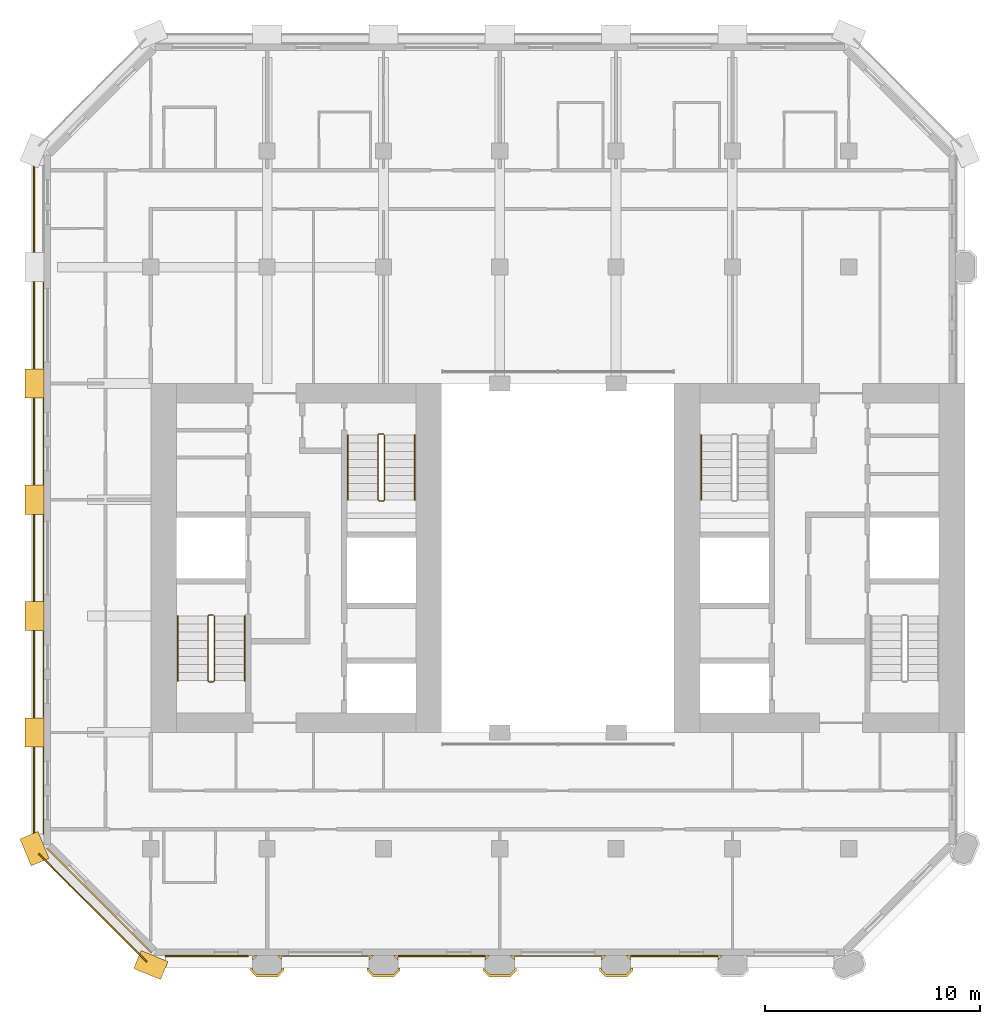
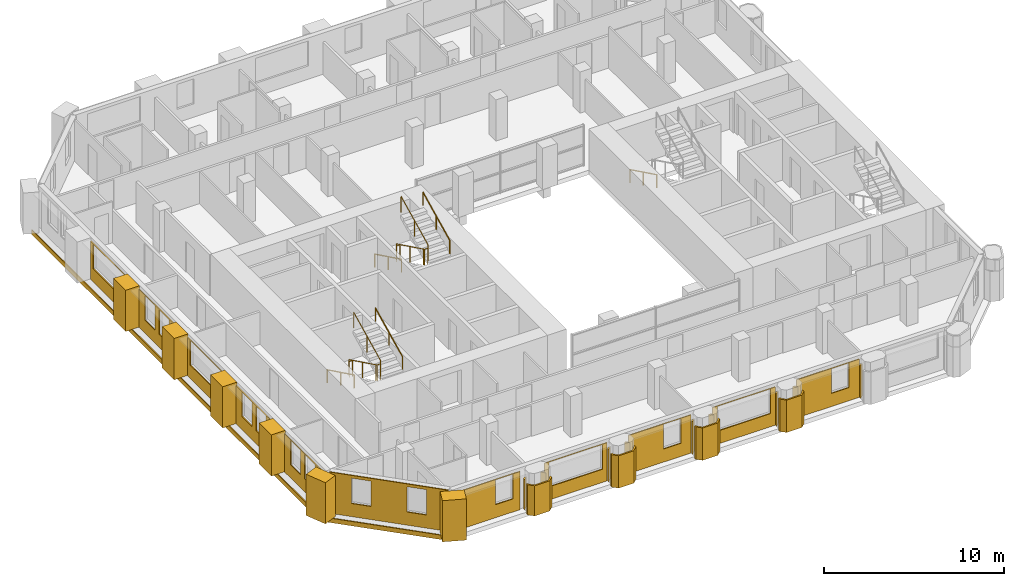
# One storey, part 12 of 14: 32 coverings, 7 railings.
"""IFC4 building model written with IfcOpenShell, lengths in metres."""

import ifcopenshell
import ifcopenshell.guid

model = None  # the IFC model being written
_history = None  # IfcOwnerHistory: only IFC2X3 demands one
_inside = {}  # id of a spatial element -> (the spatial element, [elements in it])
_under = {}  # id of a project, library or spatial element -> (it, [spatial elements below it])
_declared = {}  # id of a project -> (the project, [libraries it declares])
_typed = {}  # id of a type object -> (the type object, [elements of that type])
_made_of = {}  # id of a material, layer set ... -> (it, [elements and type objects made of it])


def new_model(schema):
    """Start an empty IFC model of exactly this schema.

    Asked for "IFC4X3", IfcOpenShell would pick the latest addendum, in which some entities
    have other attributes; the version numbers below select the first issue.
    IFC2X3 requires an IfcOwnerHistory on every rooted entity: one is made here for all.
    """
    global model, _history
    if schema == "IFC4X3":
        model = ifcopenshell.file(schema_version=(4, 3, 0, 0))
    else:
        model = ifcopenshell.file(schema=schema)
    _inside.clear()
    _under.clear()
    _declared.clear()
    _typed.clear()
    _made_of.clear()
    _history = None
    if model.schema == "IFC2X3":
        org = make("IfcOrganization", Name="unknown")
        user = make(
            "IfcPersonAndOrganization",
            ThePerson=make("IfcPerson", FamilyName="unknown"),
            TheOrganization=org,
        )
        app = make(
            "IfcApplication",
            ApplicationDeveloper=org,
            Version="unknown",
            ApplicationFullName="unknown",
            ApplicationIdentifier="unknown",
        )
        _history = make(
            "IfcOwnerHistory",
            OwningUser=user,
            OwningApplication=app,
            ChangeAction="ADDED",
            CreationDate=0,
        )
    return model


def make(cls, **values):
    """One entity of the class cls with the attributes given. An attribute that is None is left unset."""
    return model.create_entity(
        cls, **{name: value for name, value in values.items() if value is not None}
    )


def rooted(cls, **values):
    """An entity with a GlobalId (a new one), such as an element, a storey or a relation."""
    return make(cls, GlobalId=ifcopenshell.guid.new(), OwnerHistory=_history, **values)


def si_unit(unit_type, name, prefix=None):
    """IfcSIUnit, for example si_unit("LENGTHUNIT", "METRE", prefix="MILLI")."""
    return make("IfcSIUnit", UnitType=unit_type, Prefix=prefix, Name=name)


def assignment(units):
    """IfcUnitAssignment: the units of a project."""
    return None if units is None else make("IfcUnitAssignment", Units=units)


def point(xyz):
    """IfcCartesianPoint."""
    return None if xyz is None else make("IfcCartesianPoint", Coordinates=xyz)


def direction(xyz):
    """IfcDirection."""
    return None if xyz is None else make("IfcDirection", DirectionRatios=xyz)


def frame(location, z_axis=None, x_axis=None):
    """IfcAxis2Placement3D, a coordinate frame: its origin and axes. An axis left out is left unset."""
    return make(
        "IfcAxis2Placement3D",
        Location=point(location),
        Axis=direction(z_axis),
        RefDirection=direction(x_axis),
    )


def frame_2d(location, x_axis=None):
    """IfcAxis2Placement2D, a coordinate frame in the plane: its origin and x axis."""
    return make(
        "IfcAxis2Placement2D", Location=point(location), RefDirection=direction(x_axis)
    )


def origin():
    """The frame at (0, 0, 0) with its axes left unset."""
    return frame((0.0, 0.0, 0.0))


def origin_2d():
    """The frame at (0, 0) in the plane with its x axis left unset."""
    return frame_2d((0.0, 0.0))


def place(relative_to, where):
    """IfcLocalPlacement: puts the frame where relative to a parent placement (None: the world)."""
    return make(
        "IfcLocalPlacement", PlacementRelTo=relative_to, RelativePlacement=where
    )


def context(
    kind, dimensions, precision=None, world=None, true_north=None, identifier=None
):
    """IfcGeometricRepresentationContext, for example the 3D "Model" context."""
    return make(
        "IfcGeometricRepresentationContext",
        ContextIdentifier=identifier,
        ContextType=kind,
        CoordinateSpaceDimension=dimensions,
        Precision=precision,
        WorldCoordinateSystem=world,
        TrueNorth=true_north,
    )


def subcontext(parent, identifier, kind, view, scale=None):
    """IfcGeometricRepresentationSubContext, for example "Body" below "Model"."""
    return make(
        "IfcGeometricRepresentationSubContext",
        ContextIdentifier=identifier,
        ContextType=kind,
        ParentContext=parent,
        TargetScale=scale,
        TargetView=view,
    )


def project(units=None, contexts=None):
    """IfcProject with its units and contexts."""
    return rooted(
        "IfcProject",
        Name="project",
        RepresentationContexts=contexts,
        UnitsInContext=assignment(units),
    )


def spatial(cls, under=None, at=None, **own):
    """A site, building, storey or space (cls), placed at a placement, below another one or the project."""
    s = rooted(cls, ObjectPlacement=at, **own)
    if under is not None:
        _under.setdefault(under.id(), (under, []))[1].append(s)
    return s


def polyline(points):
    """IfcPolyline through the points."""
    return make("IfcPolyline", Points=[point(p) for p in points])


def profile(cls, at=None, kind="AREA", **sizes):
    """A parametric profile (cls). Its sizes go by their IFC names, for example OverallWidth=200.0."""
    return make(cls, ProfileType=kind, Position=at, **sizes)


def rectangle(**sizes):
    """IfcRectangleProfileDef."""
    return profile("IfcRectangleProfileDef", **sizes)


def circle(**sizes):
    """IfcCircleProfileDef."""
    return profile("IfcCircleProfileDef", **sizes)


def outline(outer, holes=None, kind="AREA"):
    """IfcArbitraryClosedProfileDef: a profile drawn as a closed curve; with holes, ...WithVoids."""
    if holes is None:
        return make("IfcArbitraryClosedProfileDef", ProfileType=kind, OuterCurve=outer)
    return make(
        "IfcArbitraryProfileDefWithVoids",
        ProfileType=kind,
        OuterCurve=outer,
        InnerCurves=holes,
    )


def extrude(swept, where, along, depth):
    """IfcExtrudedAreaSolid: the profile swept, set in the frame where, extruded along a direction by depth."""
    return make(
        "IfcExtrudedAreaSolid",
        SweptArea=swept,
        Position=where,
        ExtrudedDirection=direction(along),
        Depth=depth,
    )


def shape(context_of_items, identifier, shape_type, items):
    """IfcShapeRepresentation: the items that make up one representation, for example the "Body"."""
    return make(
        "IfcShapeRepresentation",
        ContextOfItems=context_of_items,
        RepresentationIdentifier=identifier,
        RepresentationType=shape_type,
        Items=items,
    )


def material(Name=None, Category=None):
    """IfcMaterial."""
    return make("IfcMaterial", Name=Name, Category=Category)


def layer(
    of_material, thickness, ventilated=None, Name=None, Category=None, Priority=None
):
    """IfcMaterialLayer: one layer of a wall or slab, of a material (None: an air gap)."""
    return make(
        "IfcMaterialLayer",
        Material=of_material,
        LayerThickness=thickness,
        IsVentilated=ventilated,
        Name=Name,
        Category=Category,
        Priority=Priority,
    )


def layer_set(layers, Name=None):
    """IfcMaterialLayerSet."""
    return make("IfcMaterialLayerSet", MaterialLayers=layers, LayerSetName=Name)


def made_of(thing, what):
    """Note that an element or type object is made of a material, layer set ...; save() writes the relation."""
    if what is not None:
        _made_of.setdefault(what.id(), (what, []))[1].append(thing)
    return thing


def type_object(cls, material=None, **own):
    """A type object (cls), such as IfcWallType, which elements share."""
    return made_of(rooted(cls, **own), material)


def element(
    cls,
    number,
    at=None,
    inside=None,
    cuts=None,
    type_object=None,
    material=None,
    context=None,
    identifier="Body",
    shape_type=None,
    held_by="IfcProductDefinitionShape",
    body=None,
    shapes=None,
    **own,
):
    """One element of the class cls, such as IfcWall. Its Tag is "e" and its number.

    at: its placement. inside: the storey or other place that contains it. cuts: it is an
    opening in that element (IfcRelVoidsElement). A single representation is given by context,
    identifier, shape_type and body (its items); several are given by shapes. held_by: the class
    of the entity that holds the representations. save() writes the other relations.
    """
    e = rooted(cls, Tag="e%d" % number, ObjectPlacement=at, **own)
    if body is not None:
        shapes = [shape(context, identifier, shape_type, body)]
    if shapes is not None:
        e.Representation = make(held_by, Representations=shapes)
    if inside is not None:
        _inside.setdefault(inside.id(), (inside, []))[1].append(e)
    if cuts is not None:
        rooted(
            "IfcRelVoidsElement", RelatingBuildingElement=cuts, RelatedOpeningElement=e
        )
    if type_object is not None:
        _typed.setdefault(type_object.id(), (type_object, []))[1].append(e)
    return made_of(e, material)


def aggregate(whole, parts):
    """IfcRelAggregates: a whole, such as a stair, and the parts it consists of."""
    return rooted("IfcRelAggregates", RelatingObject=whole, RelatedObjects=parts)


def save(model, path):
    """Write the relations noted so far, then the file.

    IfcRelAggregates (storeys below a building ...), IfcRelContainedInSpatialStructure (elements
    in a storey), IfcRelDefinesByType, IfcRelAssociatesMaterial and IfcRelDeclares: one each for
    every whole, place, type object, material and project.
    """
    for whole, parts in _under.values():
        aggregate(whole, parts)
    for where, things in _inside.values():
        rooted(
            "IfcRelContainedInSpatialStructure",
            RelatedElements=things,
            RelatingStructure=where,
        )
    for kind, things in _typed.values():
        rooted("IfcRelDefinesByType", RelatedObjects=things, RelatingType=kind)
    for what, things in _made_of.values():
        rooted("IfcRelAssociatesMaterial", RelatedObjects=things, RelatingMaterial=what)
    for by, libraries in _declared.values():
        rooted("IfcRelDeclares", RelatingContext=by, RelatedDefinitions=libraries)
    model.write(path)


model = new_model("IFC4")

# Units and contexts
model_context = context("Model", 3, precision=1e-05, world=origin(), true_north=direction((0.0, 1.0)))
body_context = subcontext(model_context, "Body", "Model", "MODEL_VIEW")
ifc_project = project(units=[si_unit("LENGTHUNIT", "METRE"), si_unit("AREAUNIT", "SQUARE_METRE"), si_unit("VOLUMEUNIT", "CUBIC_METRE"), si_unit("PLANEANGLEUNIT", "RADIAN"), si_unit("MASSUNIT", "GRAM", prefix="KILO")], contexts=[model_context])

# Site, building, storey
site_placement = place(None, origin())
site = spatial("IfcSite", under=ifc_project, at=site_placement, CompositionType="ELEMENT")
building_placement = place(site_placement, origin())
building = spatial("IfcBuilding", under=site, at=building_placement, Name="Tabaq Tower and Sports Hall", CompositionType="ELEMENT")
storey_placement = place(building_placement, frame((0.0, 0.0, 230.199951171875)))
storey = spatial("IfcBuildingStorey", under=building, at=storey_placement, Name="L58", CompositionType="ELEMENT", Elevation=230.199951171875)

# Coverings
ifc_material_1 = material(Name="Precast concrete C60/75", Category="concrete")
ifc_layer_1 = layer(ifc_material_1, 0.10009765625)
ifc_layer_set_1 = layer_set([ifc_layer_1], Name="Column cladding 100")
covering_type_1 = type_object("IfcCoveringType", Name="Column cladding 100", PredefinedType="CLADDING", material=ifc_layer_set_1)
covering_1_placement = place(storey_placement, origin())
element("IfcCovering", 1, at=covering_1_placement, inside=storey, type_object=covering_type_1, Name="Column cladding L58 PC-3B-H3", PredefinedType="CLADDING", context=body_context, shape_type="SweptSolid", body=[
    extrude(outline(polyline([(10.025390625, 5.249755859375), (10.124755859375, 5.249755859375), (10.124755859375, 5.1748046875), (10.349853515625, 4.94970703125), (11.250244140625, 4.94970703125), (11.475341796875, 5.1748046875), (11.475341796875, 5.249755859375), (11.57470703125, 5.249755859375), (11.57470703125, 5.1337890625), (11.291259765625, 4.850341796875), (10.30859375, 4.850341796875), (10.025390625, 5.1337890625), (10.025390625, 5.249755859375)])), origin(), (0.0, 0.0, 1.0), 2.050048828125),
])
covering_2_placement = place(storey_placement, origin())
element("IfcCovering", 2, at=covering_2_placement, inside=storey, type_object=covering_type_1, Name="Column cladding L58 PC-3B-H3 2", PredefinedType="CLADDING", context=body_context, shape_type="SweptSolid", body=[
    extrude(outline(polyline([(10.208740234375, 5.849609375), (10.349365234375, 5.849609375), (10.125244140625, 5.625732421875), (10.125244140625, 5.766357421875), (10.208740234375, 5.849609375)])), origin(), (0.0, 0.0, 1.0), 2.050048828125),
])
covering_3_placement = place(storey_placement, origin())
element("IfcCovering", 3, at=covering_3_placement, inside=storey, type_object=covering_type_1, Name="Column cladding L58 PC-3B-H3 3", PredefinedType="CLADDING", context=body_context, shape_type="SweptSolid", body=[
    extrude(outline(polyline([(11.474609375, 5.766357421875), (11.474609375, 5.625732421875), (11.250732421875, 5.849609375), (11.391357421875, 5.849609375), (11.474609375, 5.766357421875)])), origin(), (0.0, 0.0, 1.0), 2.050048828125),
])
covering_4_placement = place(storey_placement, origin())
element("IfcCovering", 4, at=covering_4_placement, inside=storey, type_object=covering_type_1, Name="Column cladding L58 PC-4B-H3", PredefinedType="CLADDING", context=body_context, shape_type="SweptSolid", body=[
    extrude(outline(polyline([(15.42529296875, 5.249755859375), (15.524658203125, 5.249755859375), (15.524658203125, 5.1748046875), (15.749755859375, 4.94970703125), (16.650146484375, 4.94970703125), (16.875244140625, 5.1748046875), (16.875244140625, 5.249755859375), (16.974609375, 5.249755859375), (16.974609375, 5.1337890625), (16.69140625, 4.850341796875), (15.708740234375, 4.850341796875), (15.42529296875, 5.1337890625), (15.42529296875, 5.249755859375)])), origin(), (0.0, 0.0, 1.0), 2.199951171875),
])
covering_5_placement = place(storey_placement, origin())
element("IfcCovering", 5, at=covering_5_placement, inside=storey, type_object=covering_type_1, Name="Column cladding L58 PC-4B-H3 2", PredefinedType="CLADDING", context=body_context, shape_type="SweptSolid", body=[
    extrude(outline(polyline([(16.874755859375, 5.766357421875), (16.874755859375, 5.625732421875), (16.650634765625, 5.849609375), (16.791259765625, 5.849609375), (16.874755859375, 5.766357421875)])), origin(), (0.0, 0.0, 1.0), 2.199951171875),
])
covering_6_placement = place(storey_placement, origin())
element("IfcCovering", 6, at=covering_6_placement, inside=storey, type_object=covering_type_1, Name="Column cladding L58 PC-4B-H3 3", PredefinedType="CLADDING", context=body_context, shape_type="SweptSolid", body=[
    extrude(outline(polyline([(15.608642578125, 5.849609375), (15.749267578125, 5.849609375), (15.525390625, 5.625732421875), (15.525390625, 5.766357421875), (15.608642578125, 5.849609375)])), origin(), (0.0, 0.0, 1.0), 2.199951171875),
])
covering_7_placement = place(storey_placement, origin())
element("IfcCovering", 7, at=covering_7_placement, inside=storey, type_object=covering_type_1, Name="Column cladding L58 PC-5B-H3", PredefinedType="CLADDING", context=body_context, shape_type="SweptSolid", body=[
    extrude(outline(polyline([(20.82568359375, 5.24951171875), (20.92431640625, 5.24951171875), (20.92431640625, 5.1748046875), (21.149658203125, 4.949462890625), (22.05029296875, 4.949462890625), (22.275634765625, 5.1748046875), (22.275634765625, 5.24951171875), (22.37451171875, 5.24951171875), (22.37451171875, 5.1337890625), (22.091064453125, 4.8505859375), (21.10888671875, 4.8505859375), (20.82568359375, 5.1337890625), (20.82568359375, 5.24951171875)])), origin(), (0.0, 0.0, 1.0), 2.199951171875),
])
covering_8_placement = place(storey_placement, origin())
element("IfcCovering", 8, at=covering_8_placement, inside=storey, type_object=covering_type_1, Name="Column cladding L58 PC-5B-H3 2", PredefinedType="CLADDING", context=body_context, shape_type="SweptSolid", body=[
    extrude(outline(polyline([(22.274658203125, 5.766357421875), (22.274658203125, 5.625732421875), (22.05078125, 5.849609375), (22.19140625, 5.849609375), (22.274658203125, 5.766357421875)])), origin(), (0.0, 0.0, 1.0), 2.199951171875),
])
covering_9_placement = place(storey_placement, origin())
element("IfcCovering", 9, at=covering_9_placement, inside=storey, type_object=covering_type_1, Name="Column cladding L58 PC-5B-H3 3", PredefinedType="CLADDING", context=body_context, shape_type="SweptSolid", body=[
    extrude(outline(polyline([(20.925537109375, 5.62646484375), (20.925537109375, 5.76611328125), (21.0087890625, 5.849365234375), (21.1484375, 5.849365234375), (20.925537109375, 5.62646484375)])), origin(), (0.0, 0.0, 1.0), 2.199951171875),
])
covering_10_placement = place(storey_placement, origin())
element("IfcCovering", 10, at=covering_10_placement, inside=storey, type_object=covering_type_1, Name="Column cladding L58 PC-6B-H3", PredefinedType="CLADDING", context=body_context, shape_type="SweptSolid", body=[
    extrude(outline(polyline([(26.225341796875, 5.249755859375), (26.32470703125, 5.249755859375), (26.32470703125, 5.1748046875), (26.5498046875, 4.94970703125), (27.4501953125, 4.94970703125), (27.67529296875, 5.1748046875), (27.67529296875, 5.249755859375), (27.774658203125, 5.249755859375), (27.774658203125, 5.1337890625), (27.4912109375, 4.850341796875), (26.5087890625, 4.850341796875), (26.225341796875, 5.1337890625), (26.225341796875, 5.249755859375)])), origin(), (0.0, 0.0, 1.0), 2.199951171875),
])
covering_11_placement = place(storey_placement, origin())
element("IfcCovering", 11, at=covering_11_placement, inside=storey, type_object=covering_type_1, Name="Column cladding L58 PC-6B-H3 2", PredefinedType="CLADDING", context=body_context, shape_type="SweptSolid", body=[
    extrude(outline(polyline([(26.40869140625, 5.849609375), (26.54931640625, 5.849609375), (26.3251953125, 5.625732421875), (26.3251953125, 5.766357421875), (26.40869140625, 5.849609375)])), origin(), (0.0, 0.0, 1.0), 2.199951171875),
])
covering_12_placement = place(storey_placement, origin())
element("IfcCovering", 12, at=covering_12_placement, inside=storey, type_object=covering_type_1, Name="Column cladding L58 PC-6B-H3 3", PredefinedType="CLADDING", context=body_context, shape_type="SweptSolid", body=[
    extrude(outline(polyline([(27.6748046875, 5.766357421875), (27.6748046875, 5.625732421875), (27.45068359375, 5.849609375), (27.59130859375, 5.849609375), (27.6748046875, 5.766357421875)])), origin(), (0.0, 0.0, 1.0), 2.199951171875),
])
covering_13_placement = place(storey_placement, origin())
element("IfcCovering", 13, at=covering_13_placement, inside=storey, type_object=covering_type_1, Name="Column cladding L58 PC-7B-H3 2", PredefinedType="CLADDING", context=body_context, shape_type="SweptSolid", body=[
    extrude(outline(polyline([(31.80859375, 5.849609375), (31.94921875, 5.849609375), (31.725341796875, 5.625732421875), (31.725341796875, 5.766357421875), (31.80859375, 5.849609375)])), origin(), (0.0, 0.0, 1.0), 2.199951171875),
])
ifc_material_2 = material(Name="Precast concrete C60/75", Category="concrete")
ifc_layer_2 = layer(ifc_material_2, 0.06005859375)
ifc_layer_set_2 = layer_set([ifc_layer_2], Name="Edge beam cladding 60")
covering_type_2 = type_object("IfcCoveringType", Name="Edge beam cladding 60", PredefinedType="CLADDING", material=ifc_layer_set_2)
covering_14_placement = place(storey_placement, frame((-0.030029296875, 42.9013671875, -0.300048828125), z_axis=(0.0, 0.0, 1.0), x_axis=(0.0, -1.0, 0.0)))
element("IfcCovering", 14, at=covering_14_placement, inside=storey, type_object=covering_type_2, Name="Edge beam cladding L58 4", PredefinedType="CLADDING", context=body_context, shape_type="SweptSolid", body=[
    extrude(rectangle(XDim=31.802734375, YDim=0.06005859375, at=frame_2d((15.9013671875, 0.0))), origin(), (0.0, 0.0, 1.0), 0.300048828125),
])
covering_15_placement = place(storey_placement, frame((0.18994140625, 10.567626953125, -0.300048828125), z_axis=(0.0, 0.0, 1.0), x_axis=(0.707106781187, -0.707106781187, 0.0)))
element("IfcCovering", 15, at=covering_15_placement, inside=storey, type_object=covering_type_2, Name="Edge beam cladding L58 5", PredefinedType="CLADDING", context=body_context, shape_type="SweptSolid", body=[
    extrude(rectangle(XDim=7.087890625, YDim=0.06005859375, at=frame_2d((3.5439453125, 0.0))), origin(), (0.0, 0.0, 1.0), 0.300048828125),
])
ifc_material_3 = material(Name="White precast concrete C60/75", Category="concrete")
covering_type_3 = type_object("IfcCoveringType", Name="Pier cladding hung 1350x900", PredefinedType="CLADDING", material=ifc_material_3)
for number, where, z_axis, x_axis, name in (
    (16, (-0.25830078125, 11.423583984375, 0.0), (0.0, 0.0, 1.0), (0.382649923473, -0.923893411637, 0.0), "Hung pier cladding 0/2"),
    (17, (0.0, 16.875, 0.0), (0.0, 0.0, 1.0), (0.0, -1.0, 0.0), "Hung pier cladding 0/3"),
):
    element("IfcCovering", number, at=place(storey_placement, frame(where, z_axis=z_axis, x_axis=x_axis)), inside=storey, type_object=covering_type_3, Name=name, PredefinedType="CLADDING", context=body_context, shape_type="SweptSolid", body=[
        extrude(rectangle(XDim=1.35009765625, YDim=0.89990234375, at=frame_2d((0.675048828125, 0.0))), origin(), (0.0, 0.0, 1.0), 2.800048828125),
    ])
covering_16_placement = place(storey_placement, frame((0.0, 22.27490234375, 0.0), z_axis=(0.0, 0.0, 1.0), x_axis=(0.0, -1.0, 0.0)))
element("IfcCovering", 18, at=covering_16_placement, inside=storey, type_object=covering_type_3, Name="Hung pier cladding 0/4", PredefinedType="CLADDING", context=body_context, shape_type="SweptSolid", body=[
    extrude(rectangle(XDim=1.349853515625, YDim=0.89990234375, at=frame_2d((0.6748046875, 0.0))), origin(), (0.0, 0.0, 1.0), 2.800048828125),
])
covering_17_placement = place(storey_placement, frame((0.0, 27.675048828125, 0.0), z_axis=(0.0, 0.0, 1.0), x_axis=(0.0, -1.0, 0.0)))
element("IfcCovering", 19, at=covering_17_placement, inside=storey, type_object=covering_type_3, Name="Hung pier cladding 0/5", PredefinedType="CLADDING", context=body_context, shape_type="SweptSolid", body=[
    extrude(rectangle(XDim=1.35009765625, YDim=0.89990234375, at=frame_2d((0.675048828125, 0.0))), origin(), (0.0, 0.0, 1.0), 2.800048828125),
])
covering_18_placement = place(storey_placement, frame((0.0, 33.074951171875, 0.0), z_axis=(0.0, 0.0, 1.0), x_axis=(0.0, -1.0, 0.0)))
element("IfcCovering", 20, at=covering_18_placement, inside=storey, type_object=covering_type_3, Name="Hung pier cladding 0/6", PredefinedType="CLADDING", context=body_context, shape_type="SweptSolid", body=[
    extrude(rectangle(XDim=1.349853515625, YDim=0.89990234375, at=frame_2d((0.6748046875, 0.0))), origin(), (0.0, 0.0, 1.0), 2.800048828125),
])
covering_19_placement = place(storey_placement, frame((4.7763671875, 5.658203125, 0.0), z_axis=(0.0, 0.0, 1.0), x_axis=(0.923893411637, -0.382649923473, 0.0)))
element("IfcCovering", 21, at=covering_19_placement, inside=storey, type_object=covering_type_3, Name="Hung pier cladding 1/1", PredefinedType="CLADDING", context=body_context, shape_type="SweptSolid", body=[
    extrude(rectangle(XDim=1.35009765625, YDim=0.89990234375, at=frame_2d((0.675048828125, 0.0))), origin(), (0.0, 0.0, 1.0), 2.800048828125),
])

# Railings
ifc_material_4 = material(Name="Stainless steel", Category="steel")
railing_type_1 = type_object("IfcRailingType", Name="Stair guard", PredefinedType="GUARDRAIL", material=ifc_material_4)
railing_1_placement = place(storey_placement, frame((8.300048828125, 21.64990234375, 0.0)))
element("IfcRailing", 22, at=railing_1_placement, inside=storey, type_object=railing_type_1, Name="L58 ST1 stair guard 1", PredefinedType="GUARDRAIL", context=body_context, shape_type="SweptSolid", body=[
    extrude(circle(Radius=0.02392578125, at=origin_2d()), frame((0.0, 0.0, 1.076171875), z_axis=(-1.0, 0.0, 0.0), x_axis=(0.0, -1.0, 0.0)), (0.0, 0.0, 1.0), 0.199951171875),
    extrude(circle(Radius=0.02392578125, at=origin_2d()), frame((-0.199951171875, 0.0, 1.076171875), z_axis=(-0.254733673405, -0.25349107012, 0.933195066962), x_axis=(0.705375805398, -0.708833529934, 0.0)), (0.0, 0.0, 1.0), 0.196533203125),
    extrude(circle(Radius=0.02392578125, at=origin_2d()), frame((-0.25, -0.0498046875, 1.25927734375), z_axis=(0.0, -0.898368975038, 0.439241601728), x_axis=(1.0, 0.0, 0.0)), (0.0, 0.0, 1.0), 3.33935546875),
    extrude(circle(Radius=0.02392578125, at=origin_2d()), frame((-0.25, -3.0498046875, 2.72607421875), z_axis=(0.707106781187, -0.707106781187, 0.0), x_axis=(0.707106781187, 0.707106781187, 0.0)), (0.0, 0.0, 1.0), 0.07080078125),
    extrude(circle(Radius=0.02392578125, at=origin_2d()), frame((-0.199951171875, -3.099853515625, 2.72607421875), z_axis=(1.0, 0.0, 0.0), x_axis=(0.0, 1.0, 0.0)), (0.0, 0.0, 1.0), 0.199951171875),
    extrude(circle(Radius=0.02392578125, at=origin_2d()), frame((0.0, -3.099853515625, 2.72607421875), z_axis=(0.254653276557, 0.254653276557, 0.932900539971), x_axis=(-0.707106781187, 0.707106781187, 0.0)), (0.0, 0.0, 1.0), 0.196533203125),
    extrude(circle(Radius=0.02392578125, at=origin_2d()), frame((0.050048828125, -3.0498046875, 2.90966796875), z_axis=(0.0, 0.898397823093, 0.439182594671), x_axis=(-1.0, 0.0, 0.0)), (0.0, 0.0, 1.0), 3.33935546875),
    extrude(circle(Radius=0.02099609375, at=origin_2d()), origin(), (0.0, 0.0, 1.0), 1.052001953125),
    extrude(circle(Radius=0.02099609375, at=origin_2d()), frame((-0.199951171875, 0.0, 0.0)), (0.0, 0.0, 1.0), 1.052001953125),
    extrude(circle(Radius=0.02099609375, at=origin_2d()), frame((-0.25, -0.0498046875, 0.183349609375)), (0.0, 0.0, 1.0), 1.052001953125),
    extrude(circle(Radius=0.02099609375, at=origin_2d()), frame((-0.25, -1.5498046875, 0.916748046875)), (0.0, 0.0, 1.0), 1.052001953125),
    extrude(circle(Radius=0.02099609375, at=origin_2d()), frame((-0.25, -3.0498046875, 1.650146484375)), (0.0, 0.0, 1.0), 1.052001953125),
    extrude(circle(Radius=0.02099609375, at=origin_2d()), frame((-0.199951171875, -3.099853515625, 1.650146484375)), (0.0, 0.0, 1.0), 1.052001953125),
    extrude(circle(Radius=0.02099609375, at=origin_2d()), frame((0.0, -3.099853515625, 1.650146484375)), (0.0, 0.0, 1.0), 1.052001953125),
    extrude(circle(Radius=0.02099609375, at=origin_2d()), frame((0.050048828125, -3.0498046875, 1.83349609375)), (0.0, 0.0, 1.0), 1.052001953125),
    extrude(circle(Radius=0.02099609375, at=origin_2d()), frame((0.050048828125, -1.5498046875, 2.56689453125)), (0.0, 0.0, 1.0), 1.052001953125),
    extrude(circle(Radius=0.02099609375, at=origin_2d()), frame((0.050048828125, -0.0498046875, 3.300048828125)), (0.0, 0.0, 1.0), 1.052001953125),
])
railing_2_placement = place(storey_placement, frame((16.199951171875, 30.050048828125, 0.0)))
element("IfcRailing", 23, at=railing_2_placement, inside=storey, type_object=railing_type_1, Name="L58 ST2 stair guard 1", PredefinedType="GUARDRAIL", context=body_context, shape_type="SweptSolid", body=[
    extrude(circle(Radius=0.02392578125, at=origin_2d()), frame((0.0, 0.0, 1.076171875), z_axis=(-1.0, 0.0, 0.0), x_axis=(0.0, -1.0, 0.0)), (0.0, 0.0, 1.0), 0.199951171875),
    extrude(circle(Radius=0.02392578125, at=origin_2d()), frame((-0.199951171875, 0.0, 1.076171875), z_axis=(-0.254653276557, -0.254653276557, 0.932900539971), x_axis=(0.707106781187, -0.707106781187, 0.0)), (0.0, 0.0, 1.0), 0.196533203125),
    extrude(circle(Radius=0.02392578125, at=origin_2d()), frame((-0.25, -0.050048828125, 1.25927734375), z_axis=(0.0, -0.898368975038, 0.439241601728), x_axis=(1.0, 0.0, 0.0)), (0.0, 0.0, 1.0), 3.33935546875),
    extrude(circle(Radius=0.02392578125, at=origin_2d()), frame((-0.25, -3.050048828125, 2.72607421875), z_axis=(0.707106781187, -0.707106781187, 0.0), x_axis=(0.707106781187, 0.707106781187, 0.0)), (0.0, 0.0, 1.0), 0.07080078125),
    extrude(circle(Radius=0.02392578125, at=origin_2d()), frame((-0.199951171875, -3.10009765625, 2.72607421875), z_axis=(1.0, 0.0, 0.0), x_axis=(0.0, 1.0, 0.0)), (0.0, 0.0, 1.0), 0.199951171875),
    extrude(circle(Radius=0.02392578125, at=origin_2d()), frame((0.0, -3.10009765625, 2.72607421875), z_axis=(0.254653276557, 0.254653276557, 0.932900539971), x_axis=(-0.707106781187, 0.707106781187, 0.0)), (0.0, 0.0, 1.0), 0.196533203125),
    extrude(circle(Radius=0.02392578125, at=origin_2d()), frame((0.050048828125, -3.050048828125, 2.90966796875), z_axis=(0.0, 0.898397823093, 0.439182594671), x_axis=(-1.0, 0.0, 0.0)), (0.0, 0.0, 1.0), 3.33935546875),
    extrude(circle(Radius=0.02099609375, at=origin_2d()), origin(), (0.0, 0.0, 1.0), 1.052001953125),
    extrude(circle(Radius=0.02099609375, at=origin_2d()), frame((-0.199951171875, 0.0, 0.0)), (0.0, 0.0, 1.0), 1.052001953125),
    extrude(circle(Radius=0.02099609375, at=origin_2d()), frame((-0.25, -0.050048828125, 0.183349609375)), (0.0, 0.0, 1.0), 1.052001953125),
    extrude(circle(Radius=0.02099609375, at=origin_2d()), frame((-0.25, -1.550048828125, 0.916748046875)), (0.0, 0.0, 1.0), 1.052001953125),
    extrude(circle(Radius=0.02099609375, at=origin_2d()), frame((-0.25, -3.050048828125, 1.650146484375)), (0.0, 0.0, 1.0), 1.052001953125),
    extrude(circle(Radius=0.02099609375, at=origin_2d()), frame((-0.199951171875, -3.10009765625, 1.650146484375)), (0.0, 0.0, 1.0), 1.052001953125),
    extrude(circle(Radius=0.02099609375, at=origin_2d()), frame((0.0, -3.10009765625, 1.650146484375)), (0.0, 0.0, 1.0), 1.052001953125),
    extrude(circle(Radius=0.02099609375, at=origin_2d()), frame((0.050048828125, -3.050048828125, 1.83349609375)), (0.0, 0.0, 1.0), 1.052001953125),
    extrude(circle(Radius=0.02099609375, at=origin_2d()), frame((0.050048828125, -1.550048828125, 2.56689453125)), (0.0, 0.0, 1.0), 1.052001953125),
    extrude(circle(Radius=0.02099609375, at=origin_2d()), frame((0.050048828125, -0.050048828125, 3.300048828125)), (0.0, 0.0, 1.0), 1.052001953125),
])
ifc_material_5 = material(Name="Stainless steel", Category="steel")
railing_type_2 = type_object("IfcRailingType", Name="Stair handrail", PredefinedType="HANDRAIL", material=ifc_material_5)
railing_3_placement = place(storey_placement, frame((6.64990234375, 21.60009765625, 0.183349609375)))
element("IfcRailing", 24, at=railing_3_placement, inside=storey, type_object=railing_type_2, Name="L58 ST1 stair handrail 1", PredefinedType="HANDRAIL", context=body_context, shape_type="SweptSolid", body=[
    extrude(circle(Radius=0.02392578125, at=origin_2d()), frame((0.0, 0.0, 0.8759765625), z_axis=(0.0, -0.898368975038, 0.439241601728), x_axis=(1.0, 0.0, 0.0)), (0.0, 0.0, 1.0), 3.33935546875),
    extrude(circle(Radius=0.02099609375, at=origin_2d()), origin(), (0.0, 0.0, 1.0), 0.851806640625),
    extrude(circle(Radius=0.02099609375, at=origin_2d()), frame((0.0, -1.5, 0.7333984375)), (0.0, 0.0, 1.0), 0.851806640625),
    extrude(circle(Radius=0.02099609375, at=origin_2d()), frame((0.0, -3.0, 1.466796875)), (0.0, 0.0, 1.0), 0.851806640625),
])
railing_4_placement = place(storey_placement, frame((9.75, 18.60009765625, 1.83349609375)))
element("IfcRailing", 25, at=railing_4_placement, inside=storey, type_object=railing_type_2, Name="L58 ST1 stair handrail 2", PredefinedType="HANDRAIL", context=body_context, shape_type="SweptSolid", body=[
    extrude(circle(Radius=0.02392578125, at=origin_2d()), frame((0.0, 0.0, 0.8759765625), z_axis=(0.0, 0.898397823093, 0.439182594671), x_axis=(-1.0, 0.0, 0.0)), (0.0, 0.0, 1.0), 3.33935546875),
    extrude(circle(Radius=0.02099609375, at=origin_2d()), origin(), (0.0, 0.0, 1.0), 0.851806640625),
    extrude(circle(Radius=0.02099609375, at=origin_2d()), frame((0.0, 1.5, 0.7333984375)), (0.0, 0.0, 1.0), 0.851806640625),
    extrude(circle(Radius=0.02099609375, at=origin_2d()), frame((0.0, 3.0, 1.466552734375)), (0.0, 0.0, 1.0), 0.851806640625),
])
railing_5_placement = place(storey_placement, frame((14.550048828125, 30.0, 0.183349609375)))
element("IfcRailing", 26, at=railing_5_placement, inside=storey, type_object=railing_type_2, Name="L58 ST2 stair handrail 1", PredefinedType="HANDRAIL", context=body_context, shape_type="SweptSolid", body=[
    extrude(circle(Radius=0.02392578125, at=origin_2d()), frame((0.0, 0.0, 0.8759765625), z_axis=(0.0, -0.898368975038, 0.439241601728), x_axis=(1.0, 0.0, 0.0)), (0.0, 0.0, 1.0), 3.33935546875),
    extrude(circle(Radius=0.02099609375, at=origin_2d()), origin(), (0.0, 0.0, 1.0), 0.851806640625),
    extrude(circle(Radius=0.02099609375, at=origin_2d()), frame((0.0, -1.5, 0.7333984375)), (0.0, 0.0, 1.0), 0.851806640625),
    extrude(circle(Radius=0.02099609375, at=origin_2d()), frame((0.0, -3.0, 1.466796875)), (0.0, 0.0, 1.0), 0.851806640625),
])
railing_6_placement = place(storey_placement, frame((17.64990234375, 27.0, 1.83349609375)))
element("IfcRailing", 27, at=railing_6_placement, inside=storey, type_object=railing_type_2, Name="L58 ST2 stair handrail 2", PredefinedType="HANDRAIL", context=body_context, shape_type="SweptSolid", body=[
    extrude(circle(Radius=0.02392578125, at=origin_2d()), frame((0.0, 0.0, 0.8759765625), z_axis=(0.0, 0.898397823093, 0.439182594671), x_axis=(-1.0, 0.0, 0.0)), (0.0, 0.0, 1.0), 3.33935546875),
    extrude(circle(Radius=0.02099609375, at=origin_2d()), origin(), (0.0, 0.0, 1.0), 0.851806640625),
    extrude(circle(Radius=0.02099609375, at=origin_2d()), frame((0.0, 1.5, 0.7333984375)), (0.0, 0.0, 1.0), 0.851806640625),
    extrude(circle(Radius=0.02099609375, at=origin_2d()), frame((0.0, 3.0, 1.466552734375)), (0.0, 0.0, 1.0), 0.851806640625),
])
railing_7_placement = place(storey_placement, frame((30.949951171875, 30.0, 0.183349609375)))
element("IfcRailing", 28, at=railing_7_placement, inside=storey, type_object=railing_type_2, Name="L58 ST4 stair handrail 1", PredefinedType="HANDRAIL", context=body_context, shape_type="SweptSolid", body=[
    extrude(circle(Radius=0.02392578125, at=origin_2d()), frame((0.0, 0.0, 0.8759765625), z_axis=(0.0, -0.898368975038, 0.439241601728), x_axis=(1.0, 0.0, 0.0)), (0.0, 0.0, 1.0), 3.33935546875),
    extrude(circle(Radius=0.02099609375, at=origin_2d()), origin(), (0.0, 0.0, 1.0), 0.851806640625),
    extrude(circle(Radius=0.02099609375, at=origin_2d()), frame((0.0, -1.5, 0.7333984375)), (0.0, 0.0, 1.0), 0.851806640625),
    extrude(circle(Radius=0.02099609375, at=origin_2d()), frame((0.0, -3.0, 1.466796875)), (0.0, 0.0, 1.0), 0.851806640625),
])

# Coverings
ifc_material_6 = material(Name="Precast concrete C60/75", Category="concrete")
ifc_layer_3 = layer(ifc_material_6, 0.06005859375)
ifc_layer_set_3 = layer_set([ifc_layer_3], Name="White precast cladding panel 60 C60/75")
covering_type_4 = type_object("IfcCoveringType", Name="White precast cladding panel 60 C60/75", PredefinedType="CLADDING", material=ifc_layer_set_3)
covering_20_placement = place(storey_placement, frame((6.06494140625, 5.820068359375, 0.0), z_axis=(0.0, 0.0, 1.0), x_axis=(1.0, 0.0, 0.0)))
element("IfcCovering", 29, at=covering_20_placement, inside=storey, type_object=covering_type_4, Name="White precast cladding panel L58 wall00", PredefinedType="CLADDING", context=body_context, shape_type="SweptSolid", body=[
    extrude(outline(polyline([(0.0, 0.0), (3.851318359375, 0.0), (3.851318359375, 2.590087890625), (0.0, 2.590087890625), (0.0, 0.0)]), holes=[polyline([(3.39501953125, 0.89013671875), (2.27490234375, 0.89013671875), (2.27490234375, 2.56005859375), (3.39501953125, 2.56005859375), (3.39501953125, 0.89013671875)])]), frame((0.0, 0.030029296875, 0.0), z_axis=(0.0, -1.0, 0.0), x_axis=(1.0, 0.0, 0.0)), (0.0, 0.0, 1.0), 0.06005859375),
])
covering_21_placement = place(storey_placement, frame((11.485107421875, 5.820068359375, 0.0), z_axis=(0.0, 0.0, 1.0), x_axis=(1.0, 0.0, 0.0)))
element("IfcCovering", 30, at=covering_21_placement, inside=storey, type_object=covering_type_4, Name="White precast cladding panel L58 wall00 2", PredefinedType="CLADDING", context=body_context, shape_type="SweptSolid", body=[
    extrude(outline(polyline([(0.0, 0.0), (4.02978515625, 0.0), (4.02978515625, 2.590087890625), (0.0, 2.590087890625), (0.0, 0.0)]), holes=[polyline([(3.72509765625, 0.89013671875), (0.304931640625, 0.89013671875), (0.304931640625, 2.56005859375), (3.72509765625, 2.56005859375), (3.72509765625, 0.89013671875)])]), frame((0.0, 0.030029296875, 0.0), z_axis=(0.0, -1.0, 0.0), x_axis=(1.0, 0.0, 0.0)), (0.0, 0.0, 1.0), 0.06005859375),
])
covering_22_placement = place(storey_placement, frame((16.885009765625, 5.820068359375, 0.0), z_axis=(0.0, 0.0, 1.0), x_axis=(1.0, 0.0, 0.0)))
element("IfcCovering", 31, at=covering_22_placement, inside=storey, type_object=covering_type_4, Name="White precast cladding panel L58 wall00 3", PredefinedType="CLADDING", context=body_context, shape_type="SweptSolid", body=[
    extrude(outline(polyline([(0.0, 0.0), (4.030029296875, 0.0), (4.030029296875, 2.590087890625), (0.0, 2.590087890625), (0.0, 0.0)]), holes=[polyline([(3.375, 0.89013671875), (2.2548828125, 0.89013671875), (2.2548828125, 2.56005859375), (3.375, 2.56005859375), (3.375, 0.89013671875)])]), frame((0.0, 0.030029296875, 0.0), z_axis=(0.0, -1.0, 0.0), x_axis=(1.0, 0.0, 0.0)), (0.0, 0.0, 1.0), 0.06005859375),
])
covering_23_placement = place(storey_placement, frame((22.284912109375, 5.820068359375, 0.0), z_axis=(0.0, 0.0, 1.0), x_axis=(1.0, 0.0, 0.0)))
element("IfcCovering", 32, at=covering_23_placement, inside=storey, type_object=covering_type_4, Name="White precast cladding panel L58 wall00 4", PredefinedType="CLADDING", context=body_context, shape_type="SweptSolid", body=[
    extrude(outline(polyline([(0.0, 0.0), (4.030029296875, 0.0), (4.030029296875, 2.590087890625), (0.0, 2.590087890625), (0.0, 0.0)]), holes=[polyline([(3.72509765625, 0.89013671875), (0.304931640625, 0.89013671875), (0.304931640625, 2.56005859375), (3.72509765625, 2.56005859375), (3.72509765625, 0.89013671875)])]), frame((0.0, 0.030029296875, 0.0), z_axis=(0.0, -1.0, 0.0), x_axis=(1.0, 0.0, 0.0)), (0.0, 0.0, 1.0), 0.06005859375),
])
covering_24_placement = place(storey_placement, frame((27.68505859375, 5.820068359375, 0.0), z_axis=(0.0, 0.0, 1.0), x_axis=(1.0, 0.0, 0.0)))
element("IfcCovering", 33, at=covering_24_placement, inside=storey, type_object=covering_type_4, Name="White precast cladding panel L58 wall00 5", PredefinedType="CLADDING", context=body_context, shape_type="SweptSolid", body=[
    extrude(outline(polyline([(0.0, 0.0), (4.030029296875, 0.0), (4.030029296875, 2.590087890625), (0.0, 2.590087890625), (0.0, 0.0)]), holes=[polyline([(3.375, 0.89013671875), (2.2548828125, 0.89013671875), (2.2548828125, 2.56005859375), (3.375, 2.56005859375), (3.375, 0.89013671875)])]), frame((0.0, 0.030029296875, 0.0), z_axis=(0.0, -1.0, 0.0), x_axis=(1.0, 0.0, 0.0)), (0.0, 0.0, 1.0), 0.06005859375),
])
covering_25_placement = place(storey_placement, frame((0.419921875, 37.114990234375, 0.0), z_axis=(0.0, 0.0, 1.0), x_axis=(0.0, -1.0, 0.0)))
element("IfcCovering", 34, at=covering_25_placement, inside=storey, type_object=covering_type_4, Name="White precast cladding panel L58 wall06 2", PredefinedType="CLADDING", context=body_context, shape_type="SweptSolid", body=[
    extrude(outline(polyline([(0.0, 0.0), (4.030029296875, 0.0), (4.030029296875, 2.590087890625), (0.0, 2.590087890625), (0.0, 0.0)]), holes=[polyline([(3.72509765625, 0.89013671875), (0.304931640625, 0.89013671875), (0.304931640625, 2.56005859375), (3.72509765625, 2.56005859375), (3.72509765625, 0.89013671875)])]), frame((0.0, 0.030029296875, 0.0), z_axis=(0.0, -1.0, 0.0), x_axis=(1.0, 0.0, 0.0)), (0.0, 0.0, 1.0), 0.06005859375),
])
covering_26_placement = place(storey_placement, frame((0.419921875, 31.715087890625, 0.0), z_axis=(0.0, 0.0, 1.0), x_axis=(0.0, -1.0, 0.0)))
element("IfcCovering", 35, at=covering_26_placement, inside=storey, type_object=covering_type_4, Name="White precast cladding panel L58 wall06 3", PredefinedType="CLADDING", context=body_context, shape_type="SweptSolid", body=[
    extrude(outline(polyline([(0.0, 0.0), (4.030029296875, 0.0), (4.030029296875, 2.590087890625), (0.0, 2.590087890625), (0.0, 0.0)]), holes=[polyline([(0.655029296875, 0.89013671875), (0.655029296875, 2.56005859375), (1.77490234375, 2.56005859375), (1.77490234375, 0.89013671875), (0.655029296875, 0.89013671875)]), polyline([(2.2548828125, 0.89013671875), (2.2548828125, 2.56005859375), (3.375, 2.56005859375), (3.375, 0.89013671875), (2.2548828125, 0.89013671875)])]), frame((0.0, 0.030029296875, 0.0), z_axis=(0.0, -1.0, 0.0), x_axis=(1.0, 0.0, 0.0)), (0.0, 0.0, 1.0), 0.06005859375),
])
covering_27_placement = place(storey_placement, frame((0.419921875, 26.31494140625, 0.0), z_axis=(0.0, 0.0, 1.0), x_axis=(0.0, -1.0, 0.0)))
element("IfcCovering", 36, at=covering_27_placement, inside=storey, type_object=covering_type_4, Name="White precast cladding panel L58 wall06 4", PredefinedType="CLADDING", context=body_context, shape_type="SweptSolid", body=[
    extrude(outline(polyline([(0.0, 0.0), (4.030029296875, 0.0), (4.030029296875, 2.590087890625), (0.0, 2.590087890625), (0.0, 0.0)]), holes=[polyline([(3.72509765625, 0.89013671875), (0.304931640625, 0.89013671875), (0.304931640625, 2.56005859375), (3.72509765625, 2.56005859375), (3.72509765625, 0.89013671875)])]), frame((0.0, 0.030029296875, 0.0), z_axis=(0.0, -1.0, 0.0), x_axis=(1.0, 0.0, 0.0)), (0.0, 0.0, 1.0), 0.06005859375),
])
covering_28_placement = place(storey_placement, frame((0.419921875, 20.9150390625, 0.0), z_axis=(0.0, 0.0, 1.0), x_axis=(0.0, -1.0, 0.0)))
element("IfcCovering", 37, at=covering_28_placement, inside=storey, type_object=covering_type_4, Name="White precast cladding panel L58 wall06 5", PredefinedType="CLADDING", context=body_context, shape_type="SweptSolid", body=[
    extrude(outline(polyline([(0.0, 0.0), (4.030029296875, 0.0), (4.030029296875, 2.590087890625), (0.0, 2.590087890625), (0.0, 0.0)]), holes=[polyline([(0.655029296875, 0.89013671875), (0.655029296875, 2.56005859375), (1.77490234375, 2.56005859375), (1.77490234375, 0.89013671875), (0.655029296875, 0.89013671875)]), polyline([(2.2548828125, 0.89013671875), (2.2548828125, 2.56005859375), (3.375, 2.56005859375), (3.375, 0.89013671875), (2.2548828125, 0.89013671875)])]), frame((0.0, 0.030029296875, 0.0), z_axis=(0.0, -1.0, 0.0), x_axis=(1.0, 0.0, 0.0)), (0.0, 0.0, 1.0), 0.06005859375),
])
covering_29_placement = place(storey_placement, frame((0.419921875, 15.514892578125, 0.0), z_axis=(0.0, 0.0, 1.0), x_axis=(0.0, -1.0, 0.0)))
element("IfcCovering", 38, at=covering_29_placement, inside=storey, type_object=covering_type_4, Name="White precast cladding panel L58 wall06 6", PredefinedType="CLADDING", context=body_context, shape_type="SweptSolid", body=[
    extrude(outline(polyline([(0.0, 0.0), (4.0498046875, 0.0), (4.0498046875, 2.590087890625), (0.0, 2.590087890625), (0.0, 0.0)]), holes=[polyline([(0.655029296875, 0.89013671875), (0.655029296875, 2.56005859375), (1.77490234375, 2.56005859375), (1.77490234375, 0.89013671875), (0.655029296875, 0.89013671875)]), polyline([(2.2548828125, 0.89013671875), (2.2548828125, 2.56005859375), (3.375, 2.56005859375), (3.375, 0.89013671875), (2.2548828125, 0.89013671875)])]), frame((0.0, 0.030029296875, 0.0), z_axis=(0.0, -1.0, 0.0), x_axis=(1.0, 0.0, 0.0)), (0.0, 0.0, 1.0), 0.06005859375),
])
covering_30_placement = place(storey_placement, frame((0.57177734375, 10.822265625, 0.0), z_axis=(0.0, 0.0, 1.0), x_axis=(0.707106781187, -0.707106781187, 0.0)))
element("IfcCovering", 39, at=covering_30_placement, inside=storey, type_object=covering_type_4, Name="White precast cladding panel L58 wall07", PredefinedType="CLADDING", context=body_context, shape_type="SweptSolid", body=[
    extrude(outline(polyline([(0.0, 0.0), (6.85986328125, 0.0), (6.85986328125, 2.800048828125), (0.0, 2.800048828125), (0.0, 0.0)]), holes=[polyline([(1.269775390625, 2.610107421875), (2.389892578125, 2.610107421875), (2.389892578125, 0.89013671875), (1.269775390625, 0.89013671875), (1.269775390625, 2.610107421875)]), polyline([(4.4697265625, 2.610107421875), (5.58984375, 2.610107421875), (5.58984375, 0.89013671875), (4.4697265625, 0.89013671875), (4.4697265625, 2.610107421875)])]), frame((0.0, 0.030029296875, 0.0), z_axis=(0.0, -1.0, 0.0), x_axis=(1.0, 0.0, 0.0)), (0.0, 0.0, 1.0), 0.06005859375),
])

save(model, "model.ifc")
